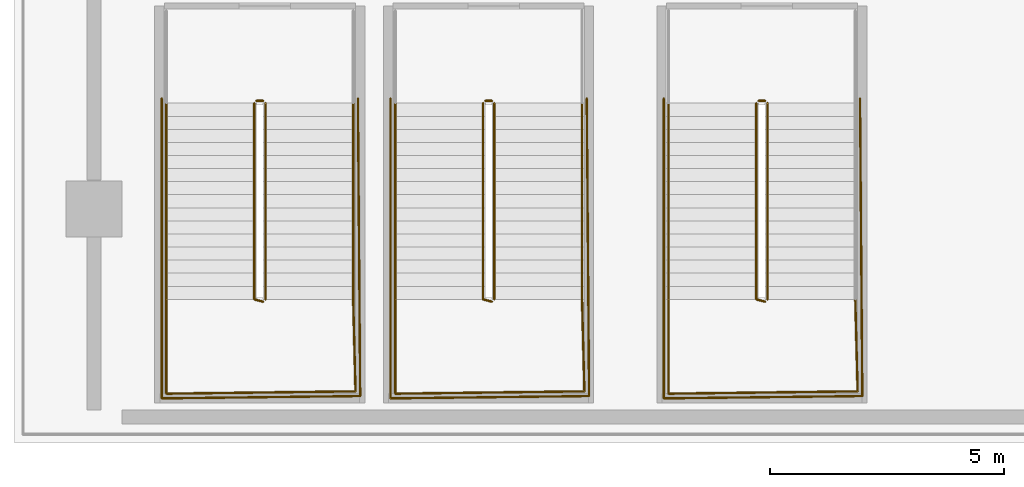
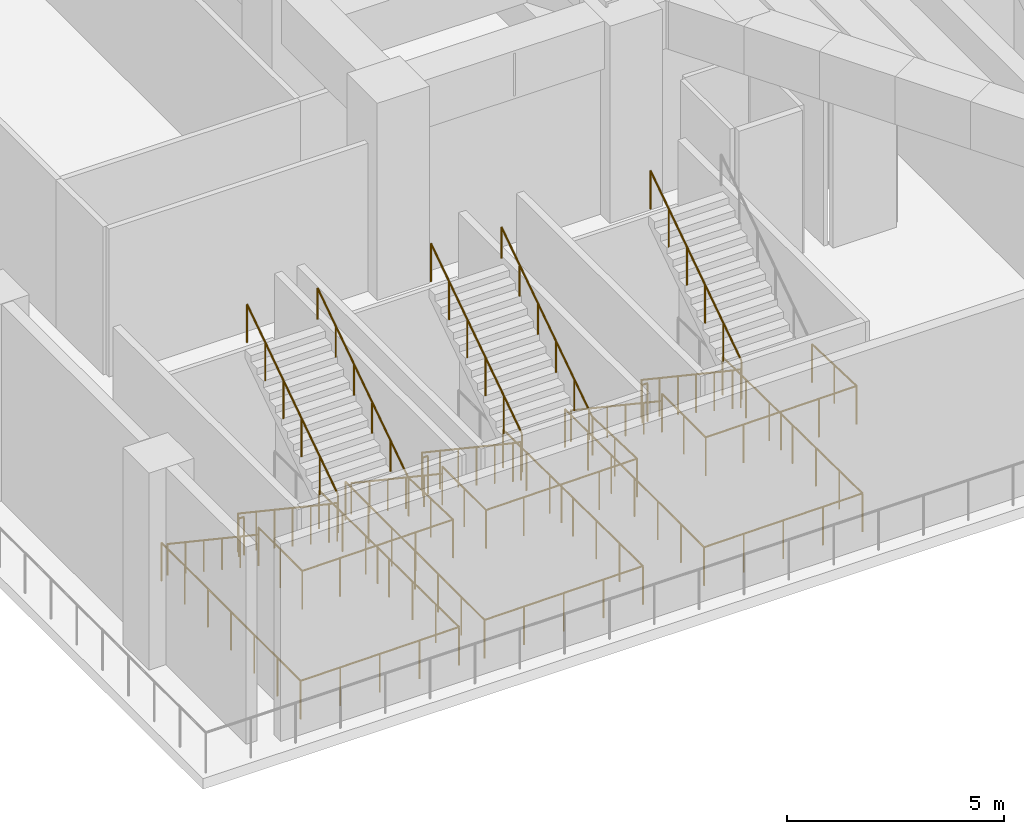
# One storey, part 15 of 27: 20 railings.
"""IFC4 building model written with IfcOpenShell, lengths in metres."""

from ifc_helpers import new_model, si_unit, direction, frame, origin, origin_2d, place, context, subcontext, project, spatial, circle, extrude, material, layer, layer_set, type_object, element, save


model = new_model("IFC4")

# Units and contexts
model_context = context("Model", 3, precision=1e-05, world=origin(), true_north=direction((0.0, 1.0)))
body_context = subcontext(model_context, "Body", "Model", "MODEL_VIEW")
ifc_project = project(units=[si_unit("LENGTHUNIT", "METRE"), si_unit("AREAUNIT", "SQUARE_METRE"), si_unit("VOLUMEUNIT", "CUBIC_METRE"), si_unit("PLANEANGLEUNIT", "RADIAN"), si_unit("MASSUNIT", "GRAM", prefix="KILO")], contexts=[model_context])

# Site, building, storey
site_placement = place(None, origin())
site = spatial("IfcSite", under=ifc_project, at=site_placement, CompositionType="ELEMENT")
building_placement = place(site_placement, origin())
building = spatial("IfcBuilding", under=site, at=building_placement, Name="Ndaravel Arena Tower", CompositionType="ELEMENT")
storey_placement = place(building_placement, frame((0.0, 0.0, 24.0)))
storey = spatial("IfcBuildingStorey", under=building, at=storey_placement, Name="L04", CompositionType="ELEMENT", Elevation=24.0)

# Railings
ifc_material_1 = material(Name="Steel S355", Category="steel")
ifc_layer_1 = layer(ifc_material_1, 0.06005859375)
ifc_layer_set_1 = layer_set([ifc_layer_1], Name="Steel S355")
railing_type_1 = type_object("IfcRailingType", Name="RAIL-STAIR-GD1100", PredefinedType="GUARDRAIL", material=ifc_layer_set_1)
railing_1_placement = place(storey_placement, frame((5.1298828125, 7.27001953125, 0.1875)))
element("IfcRailing", 1, at=railing_1_placement, inside=storey, type_object=railing_type_1, Name="L04 ST-A01 stair guard 1", PredefinedType="GUARDRAIL", context=body_context, shape_type="SweptSolid", body=[
    extrude(circle(Radius=0.02392578125, at=origin_2d()), frame((0.0, 0.0, 1.076171875), z_axis=(0.0, -0.830904186295, 0.556415522067), x_axis=(1.0, 0.0, 0.0)), (0.0, 0.0, 1.0), 5.0546875),
    extrude(circle(Radius=0.02392578125, at=origin_2d()), frame((0.0, -4.199951171875, 3.888671875), z_axis=(0.967074537263, -0.25449329928, 0.0), x_axis=(0.25449329928, 0.967074537263, 0.0)), (0.0, 0.0, 1.0), 0.19677734375),
    extrude(circle(Radius=0.02099609375, at=origin_2d()), origin(), (0.0, 0.0, 1.0), 1.052001953125),
    extrude(circle(Radius=0.02099609375, at=origin_2d()), frame((0.0, -0.840087890625, 0.5625)), (0.0, 0.0, 1.0), 1.052001953125),
    extrude(circle(Radius=0.02099609375, at=origin_2d()), frame((0.0, -1.679931640625, 1.125)), (0.0, 0.0, 1.0), 1.052001953125),
    extrude(circle(Radius=0.02099609375, at=origin_2d()), frame((0.0, -2.52001953125, 1.6875)), (0.0, 0.0, 1.0), 1.052001953125),
    extrude(circle(Radius=0.02099609375, at=origin_2d()), frame((0.0, -3.35986328125, 2.25)), (0.0, 0.0, 1.0), 1.052001953125),
    extrude(circle(Radius=0.02099609375, at=origin_2d()), frame((0.0, -4.199951171875, 2.8125)), (0.0, 0.0, 1.0), 1.052001953125),
    extrude(circle(Radius=0.02099609375, at=origin_2d()), frame((0.190185546875, -4.25, 2.8125)), (0.0, 0.0, 1.0), 1.052001953125),
])
railing_2_placement = place(storey_placement, frame((3.25, 3.070068359375, 3.0)))
element("IfcRailing", 2, at=railing_2_placement, inside=storey, type_object=railing_type_1, Name="L04 ST-A01 stair guard 2", PredefinedType="GUARDRAIL", context=body_context, shape_type="SweptSolid", body=[
    extrude(circle(Radius=0.02392578125, at=origin_2d()), frame((0.0, 0.0, 1.076171875), z_axis=(0.0, -1.0, 0.0), x_axis=(1.0, 0.0, 0.0)), (0.0, 0.0, 1.0), 2.02001953125),
    extrude(circle(Radius=0.02392578125, at=origin_2d()), frame((0.0, -2.02001953125, 1.076171875), z_axis=(0.999923653774, 0.012356642897, 0.0), x_axis=(-0.012356642897, 0.999923653774, 0.0)), (0.0, 0.0, 1.0), 4.05029296875),
    extrude(circle(Radius=0.02392578125, at=origin_2d()), frame((4.050048828125, -1.969970703125, 1.076171875), z_axis=(-0.025397679083, 0.999677426922, 0.0), x_axis=(-0.999677426922, -0.025397679083, 0.0)), (0.0, 0.0, 1.0), 1.970703125),
    extrude(circle(Radius=0.02099609375, at=origin_2d()), origin(), (0.0, 0.0, 1.0), 1.052001953125),
    extrude(circle(Radius=0.02099609375, at=origin_2d()), frame((0.0, -1.010009765625, 0.0)), (0.0, 0.0, 1.0), 1.052001953125),
    extrude(circle(Radius=0.02099609375, at=origin_2d()), frame((0.0, -2.02001953125, 0.0)), (0.0, 0.0, 1.0), 1.052001953125),
    extrude(circle(Radius=0.02099609375, at=origin_2d()), frame((1.012451171875, -2.007568359375, 0.0)), (0.0, 0.0, 1.0), 1.052001953125),
    extrude(circle(Radius=0.02099609375, at=origin_2d()), frame((2.02490234375, -1.9951171875, 0.0)), (0.0, 0.0, 1.0), 1.052001953125),
    extrude(circle(Radius=0.02099609375, at=origin_2d()), frame((3.03759765625, -1.982421875, 0.0)), (0.0, 0.0, 1.0), 1.052001953125),
    extrude(circle(Radius=0.02099609375, at=origin_2d()), frame((4.050048828125, -1.969970703125, 0.0)), (0.0, 0.0, 1.0), 1.052001953125),
    extrude(circle(Radius=0.02099609375, at=origin_2d()), frame((4.02490234375, -0.98486328125, 0.0)), (0.0, 0.0, 1.0), 1.052001953125),
    extrude(circle(Radius=0.02099609375, at=origin_2d()), frame((4.0, 0.0, 0.0)), (0.0, 0.0, 1.0), 1.052001953125),
])
railing_3_placement = place(storey_placement, frame((5.3701171875, 3.070068359375, 3.1875)))
element("IfcRailing", 3, at=railing_3_placement, inside=storey, type_object=railing_type_1, Name="L04 ST-A01 stair guard 3", PredefinedType="GUARDRAIL", context=body_context, shape_type="SweptSolid", body=[
    extrude(circle(Radius=0.02392578125, at=origin_2d()), frame((0.0, 0.0, 1.076171875), z_axis=(0.0, 0.830904186295, 0.556415522067), x_axis=(-1.0, 0.0, 0.0)), (0.0, 0.0, 1.0), 5.0546875),
    extrude(circle(Radius=0.02099609375, at=origin_2d()), origin(), (0.0, 0.0, 1.0), 1.052001953125),
    extrude(circle(Radius=0.02099609375, at=origin_2d()), frame((0.0, 0.840087890625, 0.5625)), (0.0, 0.0, 1.0), 1.052001953125),
    extrude(circle(Radius=0.02099609375, at=origin_2d()), frame((0.0, 1.679931640625, 1.125)), (0.0, 0.0, 1.0), 1.052001953125),
    extrude(circle(Radius=0.02099609375, at=origin_2d()), frame((0.0, 2.52001953125, 1.6875)), (0.0, 0.0, 1.0), 1.052001953125),
    extrude(circle(Radius=0.02099609375, at=origin_2d()), frame((0.0, 3.35986328125, 2.25)), (0.0, 0.0, 1.0), 1.052001953125),
    extrude(circle(Radius=0.02099609375, at=origin_2d()), frame((0.0, 4.199951171875, 2.8125)), (0.0, 0.0, 1.0), 1.052001953125),
])
railing_4_placement = place(storey_placement, frame((5.179931640625, 7.320068359375, 0.0)))
element("IfcRailing", 4, at=railing_4_placement, inside=storey, type_object=railing_type_1, Name="L04 ST-A01 stair guard 4", PredefinedType="GUARDRAIL", context=body_context, shape_type="SweptSolid", body=[
    extrude(circle(Radius=0.02392578125, at=origin_2d()), frame((0.0, 0.0, 1.076171875), z_axis=(1.0, 0.0, 0.0), x_axis=(0.0, 1.0, 0.0)), (0.0, 0.0, 1.0), 0.14013671875),
    extrude(circle(Radius=0.02099609375, at=origin_2d()), origin(), (0.0, 0.0, 1.0), 1.052001953125),
    extrude(circle(Radius=0.02099609375, at=origin_2d()), frame((0.14013671875, 0.0, 0.0)), (0.0, 0.0, 1.0), 1.052001953125),
])
railing_5_placement = place(storey_placement, frame((3.14990234375, 7.3701171875, 0.0)))
element("IfcRailing", 5, at=railing_5_placement, inside=storey, type_object=railing_type_1, Name="L04 ST-A01 stair guard 7", PredefinedType="GUARDRAIL", context=body_context, shape_type="SweptSolid", body=[
    extrude(circle(Radius=0.02392578125, at=origin_2d()), frame((0.0, 0.0, 1.076171875), z_axis=(0.0, -1.0, 0.0), x_axis=(1.0, 0.0, 0.0)), (0.0, 0.0, 1.0), 6.420166015625),
    extrude(circle(Radius=0.02392578125, at=origin_2d()), frame((0.0, -6.420166015625, 1.076171875), z_axis=(0.999930667828, 0.011775378384, 0.0), x_axis=(-0.011775378384, 0.999930667828, 0.0)), (0.0, 0.0, 1.0), 4.250244140625),
    extrude(circle(Radius=0.02392578125, at=origin_2d()), frame((4.25, -6.3701171875, 1.076171875), z_axis=(-0.007818249469, 0.999969437021, 0.0), x_axis=(-0.999969437021, -0.007818249469, 0.0)), (0.0, 0.0, 1.0), 6.370361328125),
    extrude(circle(Radius=0.02099609375, at=origin_2d()), origin(), (0.0, 0.0, 1.0), 1.052001953125),
    extrude(circle(Radius=0.02099609375, at=origin_2d()), frame((0.0, -1.070068359375, 0.0)), (0.0, 0.0, 1.0), 1.052001953125),
    extrude(circle(Radius=0.02099609375, at=origin_2d()), frame((0.0, -2.14013671875, 0.0)), (0.0, 0.0, 1.0), 1.052001953125),
    extrude(circle(Radius=0.02099609375, at=origin_2d()), frame((0.0, -3.2099609375, 0.0)), (0.0, 0.0, 1.0), 1.052001953125),
    extrude(circle(Radius=0.02099609375, at=origin_2d()), frame((0.0, -4.280029296875, 0.0)), (0.0, 0.0, 1.0), 1.052001953125),
    extrude(circle(Radius=0.02099609375, at=origin_2d()), frame((0.0, -5.35009765625, 0.0)), (0.0, 0.0, 1.0), 1.052001953125),
    extrude(circle(Radius=0.02099609375, at=origin_2d()), frame((0.0, -6.420166015625, 0.0)), (0.0, 0.0, 1.0), 1.052001953125),
    extrude(circle(Radius=0.02099609375, at=origin_2d()), frame((1.0625, -6.40771484375, 0.0)), (0.0, 0.0, 1.0), 1.052001953125),
    extrude(circle(Radius=0.02099609375, at=origin_2d()), frame((2.125, -6.39501953125, 0.0)), (0.0, 0.0, 1.0), 1.052001953125),
    extrude(circle(Radius=0.02099609375, at=origin_2d()), frame((3.1875, -6.382568359375, 0.0)), (0.0, 0.0, 1.0), 1.052001953125),
    extrude(circle(Radius=0.02099609375, at=origin_2d()), frame((4.25, -6.3701171875, 0.0)), (0.0, 0.0, 1.0), 1.052001953125),
    extrude(circle(Radius=0.02099609375, at=origin_2d()), frame((4.24169921875, -5.308349609375, 0.0)), (0.0, 0.0, 1.0), 1.052001953125),
    extrude(circle(Radius=0.02099609375, at=origin_2d()), frame((4.2333984375, -4.246826171875, 0.0)), (0.0, 0.0, 1.0), 1.052001953125),
    extrude(circle(Radius=0.02099609375, at=origin_2d()), frame((4.22509765625, -3.18505859375, 0.0)), (0.0, 0.0, 1.0), 1.052001953125),
    extrude(circle(Radius=0.02099609375, at=origin_2d()), frame((4.216796875, -2.123291015625, 0.0)), (0.0, 0.0, 1.0), 1.052001953125),
    extrude(circle(Radius=0.02099609375, at=origin_2d()), frame((4.20849609375, -1.061767578125, 0.0)), (0.0, 0.0, 1.0), 1.052001953125),
    extrude(circle(Radius=0.02099609375, at=origin_2d()), frame((4.2001953125, 0.0, 0.0)), (0.0, 0.0, 1.0), 1.052001953125),
])
railing_6_placement = place(storey_placement, frame((10.030029296875, 7.27001953125, 0.1875)))
element("IfcRailing", 6, at=railing_6_placement, inside=storey, type_object=railing_type_1, Name="L04 ST-A02 stair guard 1", PredefinedType="GUARDRAIL", context=body_context, shape_type="SweptSolid", body=[
    extrude(circle(Radius=0.02392578125, at=origin_2d()), frame((0.0, 0.0, 1.076171875), z_axis=(0.0, -0.830904186295, 0.556415522067), x_axis=(1.0, 0.0, 0.0)), (0.0, 0.0, 1.0), 5.0546875),
    extrude(circle(Radius=0.02392578125, at=origin_2d()), frame((0.0, -4.199951171875, 3.888671875), z_axis=(0.966993988697, -0.254799187253, 0.0), x_axis=(0.254799187253, 0.966993988697, 0.0)), (0.0, 0.0, 1.0), 0.196533203125),
    extrude(circle(Radius=0.02099609375, at=origin_2d()), origin(), (0.0, 0.0, 1.0), 1.052001953125),
    extrude(circle(Radius=0.02099609375, at=origin_2d()), frame((0.0, -0.840087890625, 0.5625)), (0.0, 0.0, 1.0), 1.052001953125),
    extrude(circle(Radius=0.02099609375, at=origin_2d()), frame((0.0, -1.679931640625, 1.125)), (0.0, 0.0, 1.0), 1.052001953125),
    extrude(circle(Radius=0.02099609375, at=origin_2d()), frame((0.0, -2.52001953125, 1.6875)), (0.0, 0.0, 1.0), 1.052001953125),
    extrude(circle(Radius=0.02099609375, at=origin_2d()), frame((0.0, -3.35986328125, 2.25)), (0.0, 0.0, 1.0), 1.052001953125),
    extrude(circle(Radius=0.02099609375, at=origin_2d()), frame((0.0, -4.199951171875, 2.8125)), (0.0, 0.0, 1.0), 1.052001953125),
    extrude(circle(Radius=0.02099609375, at=origin_2d()), frame((0.18994140625, -4.25, 2.8125)), (0.0, 0.0, 1.0), 1.052001953125),
])
railing_7_placement = place(storey_placement, frame((8.14990234375, 3.070068359375, 3.0)))
element("IfcRailing", 7, at=railing_7_placement, inside=storey, type_object=railing_type_1, Name="L04 ST-A02 stair guard 2", PredefinedType="GUARDRAIL", context=body_context, shape_type="SweptSolid", body=[
    extrude(circle(Radius=0.02392578125, at=origin_2d()), frame((0.0, 0.0, 1.076171875), z_axis=(0.0, -1.0, 0.0), x_axis=(1.0, 0.0, 0.0)), (0.0, 0.0, 1.0), 2.02001953125),
    extrude(circle(Radius=0.02392578125, at=origin_2d()), frame((0.0, -2.02001953125, 1.076171875), z_axis=(0.999923653774, 0.012356642897, 0.0), x_axis=(-0.012356642897, 0.999923653774, 0.0)), (0.0, 0.0, 1.0), 4.05029296875),
    extrude(circle(Radius=0.02392578125, at=origin_2d()), frame((4.050048828125, -1.969970703125, 1.076171875), z_axis=(-0.025397679083, 0.999677426922, 0.0), x_axis=(-0.999677426922, -0.025397679083, 0.0)), (0.0, 0.0, 1.0), 1.970703125),
    extrude(circle(Radius=0.02099609375, at=origin_2d()), origin(), (0.0, 0.0, 1.0), 1.052001953125),
    extrude(circle(Radius=0.02099609375, at=origin_2d()), frame((0.0, -1.010009765625, 0.0)), (0.0, 0.0, 1.0), 1.052001953125),
    extrude(circle(Radius=0.02099609375, at=origin_2d()), frame((0.0, -2.02001953125, 0.0)), (0.0, 0.0, 1.0), 1.052001953125),
    extrude(circle(Radius=0.02099609375, at=origin_2d()), frame((1.012451171875, -2.007568359375, 0.0)), (0.0, 0.0, 1.0), 1.052001953125),
    extrude(circle(Radius=0.02099609375, at=origin_2d()), frame((2.02490234375, -1.9951171875, 0.0)), (0.0, 0.0, 1.0), 1.052001953125),
    extrude(circle(Radius=0.02099609375, at=origin_2d()), frame((3.03759765625, -1.982421875, 0.0)), (0.0, 0.0, 1.0), 1.052001953125),
    extrude(circle(Radius=0.02099609375, at=origin_2d()), frame((4.050048828125, -1.969970703125, 0.0)), (0.0, 0.0, 1.0), 1.052001953125),
    extrude(circle(Radius=0.02099609375, at=origin_2d()), frame((4.02490234375, -0.98486328125, 0.0)), (0.0, 0.0, 1.0), 1.052001953125),
    extrude(circle(Radius=0.02099609375, at=origin_2d()), frame((4.0, 0.0, 0.0)), (0.0, 0.0, 1.0), 1.052001953125),
])
railing_8_placement = place(storey_placement, frame((10.27001953125, 3.070068359375, 3.1875)))
element("IfcRailing", 8, at=railing_8_placement, inside=storey, type_object=railing_type_1, Name="L04 ST-A02 stair guard 3", PredefinedType="GUARDRAIL", context=body_context, shape_type="SweptSolid", body=[
    extrude(circle(Radius=0.02392578125, at=origin_2d()), frame((0.0, 0.0, 1.076171875), z_axis=(0.0, 0.830904186295, 0.556415522067), x_axis=(-1.0, 0.0, 0.0)), (0.0, 0.0, 1.0), 5.0546875),
    extrude(circle(Radius=0.02099609375, at=origin_2d()), origin(), (0.0, 0.0, 1.0), 1.052001953125),
    extrude(circle(Radius=0.02099609375, at=origin_2d()), frame((0.0, 0.840087890625, 0.5625)), (0.0, 0.0, 1.0), 1.052001953125),
    extrude(circle(Radius=0.02099609375, at=origin_2d()), frame((0.0, 1.679931640625, 1.125)), (0.0, 0.0, 1.0), 1.052001953125),
    extrude(circle(Radius=0.02099609375, at=origin_2d()), frame((0.0, 2.52001953125, 1.6875)), (0.0, 0.0, 1.0), 1.052001953125),
    extrude(circle(Radius=0.02099609375, at=origin_2d()), frame((0.0, 3.35986328125, 2.25)), (0.0, 0.0, 1.0), 1.052001953125),
    extrude(circle(Radius=0.02099609375, at=origin_2d()), frame((0.0, 4.199951171875, 2.8125)), (0.0, 0.0, 1.0), 1.052001953125),
])
railing_9_placement = place(storey_placement, frame((10.080078125, 7.320068359375, 0.0)))
element("IfcRailing", 9, at=railing_9_placement, inside=storey, type_object=railing_type_1, Name="L04 ST-A02 stair guard 4", PredefinedType="GUARDRAIL", context=body_context, shape_type="SweptSolid", body=[
    extrude(circle(Radius=0.02392578125, at=origin_2d()), frame((0.0, 0.0, 1.076171875), z_axis=(1.0, 0.0, 0.0), x_axis=(0.0, 1.0, 0.0)), (0.0, 0.0, 1.0), 0.139892578125),
    extrude(circle(Radius=0.02099609375, at=origin_2d()), origin(), (0.0, 0.0, 1.0), 1.052001953125),
    extrude(circle(Radius=0.02099609375, at=origin_2d()), frame((0.139892578125, 0.0, 0.0)), (0.0, 0.0, 1.0), 1.052001953125),
])
railing_10_placement = place(storey_placement, frame((8.050048828125, 7.3701171875, 0.0)))
element("IfcRailing", 10, at=railing_10_placement, inside=storey, type_object=railing_type_1, Name="L04 ST-A02 stair guard 7", PredefinedType="GUARDRAIL", context=body_context, shape_type="SweptSolid", body=[
    extrude(circle(Radius=0.02392578125, at=origin_2d()), frame((0.0, 0.0, 1.076171875), z_axis=(0.0, -1.0, 0.0), x_axis=(1.0, 0.0, 0.0)), (0.0, 0.0, 1.0), 6.420166015625),
    extrude(circle(Radius=0.02392578125, at=origin_2d()), frame((0.0, -6.420166015625, 1.076171875), z_axis=(0.999930667828, 0.011775378384, 0.0), x_axis=(-0.011775378384, 0.999930667828, 0.0)), (0.0, 0.0, 1.0), 4.250244140625),
    extrude(circle(Radius=0.02392578125, at=origin_2d()), frame((4.25, -6.3701171875, 1.076171875), z_axis=(-0.007856571862, 0.999969136663, 0.0), x_axis=(-0.999969136663, -0.007856571862, 0.0)), (0.0, 0.0, 1.0), 6.370361328125),
    extrude(circle(Radius=0.02099609375, at=origin_2d()), origin(), (0.0, 0.0, 1.0), 1.052001953125),
    extrude(circle(Radius=0.02099609375, at=origin_2d()), frame((0.0, -1.070068359375, 0.0)), (0.0, 0.0, 1.0), 1.052001953125),
    extrude(circle(Radius=0.02099609375, at=origin_2d()), frame((0.0, -2.14013671875, 0.0)), (0.0, 0.0, 1.0), 1.052001953125),
    extrude(circle(Radius=0.02099609375, at=origin_2d()), frame((0.0, -3.2099609375, 0.0)), (0.0, 0.0, 1.0), 1.052001953125),
    extrude(circle(Radius=0.02099609375, at=origin_2d()), frame((0.0, -4.280029296875, 0.0)), (0.0, 0.0, 1.0), 1.052001953125),
    extrude(circle(Radius=0.02099609375, at=origin_2d()), frame((0.0, -5.35009765625, 0.0)), (0.0, 0.0, 1.0), 1.052001953125),
    extrude(circle(Radius=0.02099609375, at=origin_2d()), frame((0.0, -6.420166015625, 0.0)), (0.0, 0.0, 1.0), 1.052001953125),
    extrude(circle(Radius=0.02099609375, at=origin_2d()), frame((1.0625, -6.40771484375, 0.0)), (0.0, 0.0, 1.0), 1.052001953125),
    extrude(circle(Radius=0.02099609375, at=origin_2d()), frame((2.125, -6.39501953125, 0.0)), (0.0, 0.0, 1.0), 1.052001953125),
    extrude(circle(Radius=0.02099609375, at=origin_2d()), frame((3.1875, -6.382568359375, 0.0)), (0.0, 0.0, 1.0), 1.052001953125),
    extrude(circle(Radius=0.02099609375, at=origin_2d()), frame((4.25, -6.3701171875, 0.0)), (0.0, 0.0, 1.0), 1.052001953125),
    extrude(circle(Radius=0.02099609375, at=origin_2d()), frame((4.24169921875, -5.308349609375, 0.0)), (0.0, 0.0, 1.0), 1.052001953125),
    extrude(circle(Radius=0.02099609375, at=origin_2d()), frame((4.2333984375, -4.246826171875, 0.0)), (0.0, 0.0, 1.0), 1.052001953125),
    extrude(circle(Radius=0.02099609375, at=origin_2d()), frame((4.22509765625, -3.18505859375, 0.0)), (0.0, 0.0, 1.0), 1.052001953125),
    extrude(circle(Radius=0.02099609375, at=origin_2d()), frame((4.216552734375, -2.123291015625, 0.0)), (0.0, 0.0, 1.0), 1.052001953125),
    extrude(circle(Radius=0.02099609375, at=origin_2d()), frame((4.208251953125, -1.061767578125, 0.0)), (0.0, 0.0, 1.0), 1.052001953125),
    extrude(circle(Radius=0.02099609375, at=origin_2d()), frame((4.199951171875, 0.0, 0.0)), (0.0, 0.0, 1.0), 1.052001953125),
])
railing_11_placement = place(storey_placement, frame((15.8798828125, 7.27001953125, 0.1875)))
element("IfcRailing", 11, at=railing_11_placement, inside=storey, type_object=railing_type_1, Name="L04 ST-A03 stair guard 1", PredefinedType="GUARDRAIL", context=body_context, shape_type="SweptSolid", body=[
    extrude(circle(Radius=0.02392578125, at=origin_2d()), frame((0.0, 0.0, 1.076171875), z_axis=(0.0, -0.830904186295, 0.556415522067), x_axis=(1.0, 0.0, 0.0)), (0.0, 0.0, 1.0), 5.0546875),
    extrude(circle(Radius=0.02392578125, at=origin_2d()), frame((0.0, -4.199951171875, 3.888671875), z_axis=(0.967074537263, -0.25449329928, 0.0), x_axis=(0.25449329928, 0.967074537263, 0.0)), (0.0, 0.0, 1.0), 0.19677734375),
    extrude(circle(Radius=0.02099609375, at=origin_2d()), origin(), (0.0, 0.0, 1.0), 1.052001953125),
    extrude(circle(Radius=0.02099609375, at=origin_2d()), frame((0.0, -0.840087890625, 0.5625)), (0.0, 0.0, 1.0), 1.052001953125),
    extrude(circle(Radius=0.02099609375, at=origin_2d()), frame((0.0, -1.679931640625, 1.125)), (0.0, 0.0, 1.0), 1.052001953125),
    extrude(circle(Radius=0.02099609375, at=origin_2d()), frame((0.0, -2.52001953125, 1.6875)), (0.0, 0.0, 1.0), 1.052001953125),
    extrude(circle(Radius=0.02099609375, at=origin_2d()), frame((0.0, -3.35986328125, 2.25)), (0.0, 0.0, 1.0), 1.052001953125),
    extrude(circle(Radius=0.02099609375, at=origin_2d()), frame((0.0, -4.199951171875, 2.8125)), (0.0, 0.0, 1.0), 1.052001953125),
    extrude(circle(Radius=0.02099609375, at=origin_2d()), frame((0.190185546875, -4.25, 2.8125)), (0.0, 0.0, 1.0), 1.052001953125),
])
railing_12_placement = place(storey_placement, frame((14.0, 3.070068359375, 3.0)))
element("IfcRailing", 12, at=railing_12_placement, inside=storey, type_object=railing_type_1, Name="L04 ST-A03 stair guard 2", PredefinedType="GUARDRAIL", context=body_context, shape_type="SweptSolid", body=[
    extrude(circle(Radius=0.02392578125, at=origin_2d()), frame((0.0, 0.0, 1.076171875), z_axis=(0.0, -1.0, 0.0), x_axis=(1.0, 0.0, 0.0)), (0.0, 0.0, 1.0), 2.02001953125),
    extrude(circle(Radius=0.02392578125, at=origin_2d()), frame((0.0, -2.02001953125, 1.076171875), z_axis=(0.999923653774, 0.012356642897, 0.0), x_axis=(-0.012356642897, 0.999923653774, 0.0)), (0.0, 0.0, 1.0), 4.05029296875),
    extrude(circle(Radius=0.02392578125, at=origin_2d()), frame((4.050048828125, -1.969970703125, 1.076171875), z_axis=(-0.025397679083, 0.999677426922, 0.0), x_axis=(-0.999677426922, -0.025397679083, 0.0)), (0.0, 0.0, 1.0), 1.970703125),
    extrude(circle(Radius=0.02099609375, at=origin_2d()), origin(), (0.0, 0.0, 1.0), 1.052001953125),
    extrude(circle(Radius=0.02099609375, at=origin_2d()), frame((0.0, -1.010009765625, 0.0)), (0.0, 0.0, 1.0), 1.052001953125),
    extrude(circle(Radius=0.02099609375, at=origin_2d()), frame((0.0, -2.02001953125, 0.0)), (0.0, 0.0, 1.0), 1.052001953125),
    extrude(circle(Radius=0.02099609375, at=origin_2d()), frame((1.012451171875, -2.007568359375, 0.0)), (0.0, 0.0, 1.0), 1.052001953125),
    extrude(circle(Radius=0.02099609375, at=origin_2d()), frame((2.02490234375, -1.9951171875, 0.0)), (0.0, 0.0, 1.0), 1.052001953125),
    extrude(circle(Radius=0.02099609375, at=origin_2d()), frame((3.03759765625, -1.982421875, 0.0)), (0.0, 0.0, 1.0), 1.052001953125),
    extrude(circle(Radius=0.02099609375, at=origin_2d()), frame((4.050048828125, -1.969970703125, 0.0)), (0.0, 0.0, 1.0), 1.052001953125),
    extrude(circle(Radius=0.02099609375, at=origin_2d()), frame((4.02490234375, -0.98486328125, 0.0)), (0.0, 0.0, 1.0), 1.052001953125),
    extrude(circle(Radius=0.02099609375, at=origin_2d()), frame((4.0, 0.0, 0.0)), (0.0, 0.0, 1.0), 1.052001953125),
])
railing_13_placement = place(storey_placement, frame((16.1201171875, 3.070068359375, 3.1875)))
element("IfcRailing", 13, at=railing_13_placement, inside=storey, type_object=railing_type_1, Name="L04 ST-A03 stair guard 3", PredefinedType="GUARDRAIL", context=body_context, shape_type="SweptSolid", body=[
    extrude(circle(Radius=0.02392578125, at=origin_2d()), frame((0.0, 0.0, 1.076171875), z_axis=(0.0, 0.830904186295, 0.556415522067), x_axis=(-1.0, 0.0, 0.0)), (0.0, 0.0, 1.0), 5.0546875),
    extrude(circle(Radius=0.02099609375, at=origin_2d()), origin(), (0.0, 0.0, 1.0), 1.052001953125),
    extrude(circle(Radius=0.02099609375, at=origin_2d()), frame((0.0, 0.840087890625, 0.5625)), (0.0, 0.0, 1.0), 1.052001953125),
    extrude(circle(Radius=0.02099609375, at=origin_2d()), frame((0.0, 1.679931640625, 1.125)), (0.0, 0.0, 1.0), 1.052001953125),
    extrude(circle(Radius=0.02099609375, at=origin_2d()), frame((0.0, 2.52001953125, 1.6875)), (0.0, 0.0, 1.0), 1.052001953125),
    extrude(circle(Radius=0.02099609375, at=origin_2d()), frame((0.0, 3.35986328125, 2.25)), (0.0, 0.0, 1.0), 1.052001953125),
    extrude(circle(Radius=0.02099609375, at=origin_2d()), frame((0.0, 4.199951171875, 2.8125)), (0.0, 0.0, 1.0), 1.052001953125),
])
railing_14_placement = place(storey_placement, frame((15.929931640625, 7.320068359375, 0.0)))
element("IfcRailing", 14, at=railing_14_placement, inside=storey, type_object=railing_type_1, Name="L04 ST-A03 stair guard 4", PredefinedType="GUARDRAIL", context=body_context, shape_type="SweptSolid", body=[
    extrude(circle(Radius=0.02392578125, at=origin_2d()), frame((0.0, 0.0, 1.076171875), z_axis=(1.0, 0.0, 0.0), x_axis=(0.0, 1.0, 0.0)), (0.0, 0.0, 1.0), 0.14013671875),
    extrude(circle(Radius=0.02099609375, at=origin_2d()), origin(), (0.0, 0.0, 1.0), 1.052001953125),
    extrude(circle(Radius=0.02099609375, at=origin_2d()), frame((0.14013671875, 0.0, 0.0)), (0.0, 0.0, 1.0), 1.052001953125),
])
railing_15_placement = place(storey_placement, frame((13.89990234375, 7.3701171875, 0.0)))
element("IfcRailing", 15, at=railing_15_placement, inside=storey, type_object=railing_type_1, Name="L04 ST-A03 stair guard 7", PredefinedType="GUARDRAIL", context=body_context, shape_type="SweptSolid", body=[
    extrude(circle(Radius=0.02392578125, at=origin_2d()), frame((0.0, 0.0, 1.076171875), z_axis=(0.0, -1.0, 0.0), x_axis=(1.0, 0.0, 0.0)), (0.0, 0.0, 1.0), 6.420166015625),
    extrude(circle(Radius=0.02392578125, at=origin_2d()), frame((0.0, -6.420166015625, 1.076171875), z_axis=(0.999930667828, 0.011775378384, 0.0), x_axis=(-0.011775378384, 0.999930667828, 0.0)), (0.0, 0.0, 1.0), 4.250244140625),
    extrude(circle(Radius=0.02392578125, at=origin_2d()), frame((4.25, -6.3701171875, 1.076171875), z_axis=(-0.007818249469, 0.999969437021, 0.0), x_axis=(-0.999969437021, -0.007818249469, 0.0)), (0.0, 0.0, 1.0), 6.370361328125),
    extrude(circle(Radius=0.02099609375, at=origin_2d()), origin(), (0.0, 0.0, 1.0), 1.052001953125),
    extrude(circle(Radius=0.02099609375, at=origin_2d()), frame((0.0, -1.070068359375, 0.0)), (0.0, 0.0, 1.0), 1.052001953125),
    extrude(circle(Radius=0.02099609375, at=origin_2d()), frame((0.0, -2.14013671875, 0.0)), (0.0, 0.0, 1.0), 1.052001953125),
    extrude(circle(Radius=0.02099609375, at=origin_2d()), frame((0.0, -3.2099609375, 0.0)), (0.0, 0.0, 1.0), 1.052001953125),
    extrude(circle(Radius=0.02099609375, at=origin_2d()), frame((0.0, -4.280029296875, 0.0)), (0.0, 0.0, 1.0), 1.052001953125),
    extrude(circle(Radius=0.02099609375, at=origin_2d()), frame((0.0, -5.35009765625, 0.0)), (0.0, 0.0, 1.0), 1.052001953125),
    extrude(circle(Radius=0.02099609375, at=origin_2d()), frame((0.0, -6.420166015625, 0.0)), (0.0, 0.0, 1.0), 1.052001953125),
    extrude(circle(Radius=0.02099609375, at=origin_2d()), frame((1.0625, -6.40771484375, 0.0)), (0.0, 0.0, 1.0), 1.052001953125),
    extrude(circle(Radius=0.02099609375, at=origin_2d()), frame((2.125, -6.39501953125, 0.0)), (0.0, 0.0, 1.0), 1.052001953125),
    extrude(circle(Radius=0.02099609375, at=origin_2d()), frame((3.1875, -6.382568359375, 0.0)), (0.0, 0.0, 1.0), 1.052001953125),
    extrude(circle(Radius=0.02099609375, at=origin_2d()), frame((4.25, -6.3701171875, 0.0)), (0.0, 0.0, 1.0), 1.052001953125),
    extrude(circle(Radius=0.02099609375, at=origin_2d()), frame((4.24169921875, -5.308349609375, 0.0)), (0.0, 0.0, 1.0), 1.052001953125),
    extrude(circle(Radius=0.02099609375, at=origin_2d()), frame((4.2333984375, -4.246826171875, 0.0)), (0.0, 0.0, 1.0), 1.052001953125),
    extrude(circle(Radius=0.02099609375, at=origin_2d()), frame((4.22509765625, -3.18505859375, 0.0)), (0.0, 0.0, 1.0), 1.052001953125),
    extrude(circle(Radius=0.02099609375, at=origin_2d()), frame((4.216796875, -2.123291015625, 0.0)), (0.0, 0.0, 1.0), 1.052001953125),
    extrude(circle(Radius=0.02099609375, at=origin_2d()), frame((4.20849609375, -1.061767578125, 0.0)), (0.0, 0.0, 1.0), 1.052001953125),
    extrude(circle(Radius=0.02099609375, at=origin_2d()), frame((4.2001953125, 0.0, 0.0)), (0.0, 0.0, 1.0), 1.052001953125),
])
ifc_material_2 = material(Name="Steel S355", Category="steel")
ifc_layer_2 = layer(ifc_material_2, 0.050048828125)
ifc_layer_set_2 = layer_set([ifc_layer_2], Name="Steel S355")
railing_type_2 = type_object("IfcRailingType", Name="RAIL-STAIR-HR920", PredefinedType="HANDRAIL", material=ifc_layer_set_2)
railing_16_placement = place(storey_placement, frame((3.25, 7.27001953125, 0.1875)))
element("IfcRailing", 16, at=railing_16_placement, inside=storey, type_object=railing_type_2, Name="L04 ST-A01 stair handrail 1", PredefinedType="HANDRAIL", context=body_context, shape_type="SweptSolid", body=[
    extrude(circle(Radius=0.02392578125, at=origin_2d()), frame((0.0, 0.0, 0.8759765625), z_axis=(0.0, -0.830904186295, 0.556415522067), x_axis=(1.0, 0.0, 0.0)), (0.0, 0.0, 1.0), 5.0546875),
    extrude(circle(Radius=0.02099609375, at=origin_2d()), origin(), (0.0, 0.0, 1.0), 0.851806640625),
    extrude(circle(Radius=0.02099609375, at=origin_2d()), frame((0.0, -0.840087890625, 0.5625)), (0.0, 0.0, 1.0), 0.851806640625),
    extrude(circle(Radius=0.02099609375, at=origin_2d()), frame((0.0, -1.679931640625, 1.125)), (0.0, 0.0, 1.0), 0.851806640625),
    extrude(circle(Radius=0.02099609375, at=origin_2d()), frame((0.0, -2.52001953125, 1.6875)), (0.0, 0.0, 1.0), 0.851806640625),
    extrude(circle(Radius=0.02099609375, at=origin_2d()), frame((0.0, -3.35986328125, 2.25)), (0.0, 0.0, 1.0), 0.851806640625),
    extrude(circle(Radius=0.02099609375, at=origin_2d()), frame((0.0, -4.199951171875, 2.8125)), (0.0, 0.0, 1.0), 0.851806640625),
])
railing_17_placement = place(storey_placement, frame((7.25, 3.070068359375, 3.1875)))
element("IfcRailing", 17, at=railing_17_placement, inside=storey, type_object=railing_type_2, Name="L04 ST-A01 stair handrail 2", PredefinedType="HANDRAIL", context=body_context, shape_type="SweptSolid", body=[
    extrude(circle(Radius=0.02392578125, at=origin_2d()), frame((0.0, 0.0, 0.8759765625), z_axis=(0.0, 0.830904186295, 0.556415522067), x_axis=(-1.0, 0.0, 0.0)), (0.0, 0.0, 1.0), 5.0546875),
    extrude(circle(Radius=0.02099609375, at=origin_2d()), origin(), (0.0, 0.0, 1.0), 0.851806640625),
    extrude(circle(Radius=0.02099609375, at=origin_2d()), frame((0.0, 0.840087890625, 0.5625)), (0.0, 0.0, 1.0), 0.851806640625),
    extrude(circle(Radius=0.02099609375, at=origin_2d()), frame((0.0, 1.679931640625, 1.125)), (0.0, 0.0, 1.0), 0.851806640625),
    extrude(circle(Radius=0.02099609375, at=origin_2d()), frame((0.0, 2.52001953125, 1.6875)), (0.0, 0.0, 1.0), 0.851806640625),
    extrude(circle(Radius=0.02099609375, at=origin_2d()), frame((0.0, 3.35986328125, 2.25)), (0.0, 0.0, 1.0), 0.851806640625),
    extrude(circle(Radius=0.02099609375, at=origin_2d()), frame((0.0, 4.199951171875, 2.8125)), (0.0, 0.0, 1.0), 0.851806640625),
])
railing_18_placement = place(storey_placement, frame((8.14990234375, 7.27001953125, 0.1875)))
element("IfcRailing", 18, at=railing_18_placement, inside=storey, type_object=railing_type_2, Name="L04 ST-A02 stair handrail 1", PredefinedType="HANDRAIL", context=body_context, shape_type="SweptSolid", body=[
    extrude(circle(Radius=0.02392578125, at=origin_2d()), frame((0.0, 0.0, 0.8759765625), z_axis=(0.0, -0.830904186295, 0.556415522067), x_axis=(1.0, 0.0, 0.0)), (0.0, 0.0, 1.0), 5.0546875),
    extrude(circle(Radius=0.02099609375, at=origin_2d()), origin(), (0.0, 0.0, 1.0), 0.851806640625),
    extrude(circle(Radius=0.02099609375, at=origin_2d()), frame((0.0, -0.840087890625, 0.5625)), (0.0, 0.0, 1.0), 0.851806640625),
    extrude(circle(Radius=0.02099609375, at=origin_2d()), frame((0.0, -1.679931640625, 1.125)), (0.0, 0.0, 1.0), 0.851806640625),
    extrude(circle(Radius=0.02099609375, at=origin_2d()), frame((0.0, -2.52001953125, 1.6875)), (0.0, 0.0, 1.0), 0.851806640625),
    extrude(circle(Radius=0.02099609375, at=origin_2d()), frame((0.0, -3.35986328125, 2.25)), (0.0, 0.0, 1.0), 0.851806640625),
    extrude(circle(Radius=0.02099609375, at=origin_2d()), frame((0.0, -4.199951171875, 2.8125)), (0.0, 0.0, 1.0), 0.851806640625),
])
railing_19_placement = place(storey_placement, frame((12.14990234375, 3.070068359375, 3.1875)))
element("IfcRailing", 19, at=railing_19_placement, inside=storey, type_object=railing_type_2, Name="L04 ST-A02 stair handrail 2", PredefinedType="HANDRAIL", context=body_context, shape_type="SweptSolid", body=[
    extrude(circle(Radius=0.02392578125, at=origin_2d()), frame((0.0, 0.0, 0.8759765625), z_axis=(0.0, 0.830904186295, 0.556415522067), x_axis=(-1.0, 0.0, 0.0)), (0.0, 0.0, 1.0), 5.0546875),
    extrude(circle(Radius=0.02099609375, at=origin_2d()), origin(), (0.0, 0.0, 1.0), 0.851806640625),
    extrude(circle(Radius=0.02099609375, at=origin_2d()), frame((0.0, 0.840087890625, 0.5625)), (0.0, 0.0, 1.0), 0.851806640625),
    extrude(circle(Radius=0.02099609375, at=origin_2d()), frame((0.0, 1.679931640625, 1.125)), (0.0, 0.0, 1.0), 0.851806640625),
    extrude(circle(Radius=0.02099609375, at=origin_2d()), frame((0.0, 2.52001953125, 1.6875)), (0.0, 0.0, 1.0), 0.851806640625),
    extrude(circle(Radius=0.02099609375, at=origin_2d()), frame((0.0, 3.35986328125, 2.25)), (0.0, 0.0, 1.0), 0.851806640625),
    extrude(circle(Radius=0.02099609375, at=origin_2d()), frame((0.0, 4.199951171875, 2.8125)), (0.0, 0.0, 1.0), 0.851806640625),
])
railing_20_placement = place(storey_placement, frame((14.0, 7.27001953125, 0.1875)))
element("IfcRailing", 20, at=railing_20_placement, inside=storey, type_object=railing_type_2, Name="L04 ST-A03 stair handrail 1", PredefinedType="HANDRAIL", context=body_context, shape_type="SweptSolid", body=[
    extrude(circle(Radius=0.02392578125, at=origin_2d()), frame((0.0, 0.0, 0.8759765625), z_axis=(0.0, -0.830904186295, 0.556415522067), x_axis=(1.0, 0.0, 0.0)), (0.0, 0.0, 1.0), 5.0546875),
    extrude(circle(Radius=0.02099609375, at=origin_2d()), origin(), (0.0, 0.0, 1.0), 0.851806640625),
    extrude(circle(Radius=0.02099609375, at=origin_2d()), frame((0.0, -0.840087890625, 0.5625)), (0.0, 0.0, 1.0), 0.851806640625),
    extrude(circle(Radius=0.02099609375, at=origin_2d()), frame((0.0, -1.679931640625, 1.125)), (0.0, 0.0, 1.0), 0.851806640625),
    extrude(circle(Radius=0.02099609375, at=origin_2d()), frame((0.0, -2.52001953125, 1.6875)), (0.0, 0.0, 1.0), 0.851806640625),
    extrude(circle(Radius=0.02099609375, at=origin_2d()), frame((0.0, -3.35986328125, 2.25)), (0.0, 0.0, 1.0), 0.851806640625),
    extrude(circle(Radius=0.02099609375, at=origin_2d()), frame((0.0, -4.199951171875, 2.8125)), (0.0, 0.0, 1.0), 0.851806640625),
])

save(model, "model.ifc")
